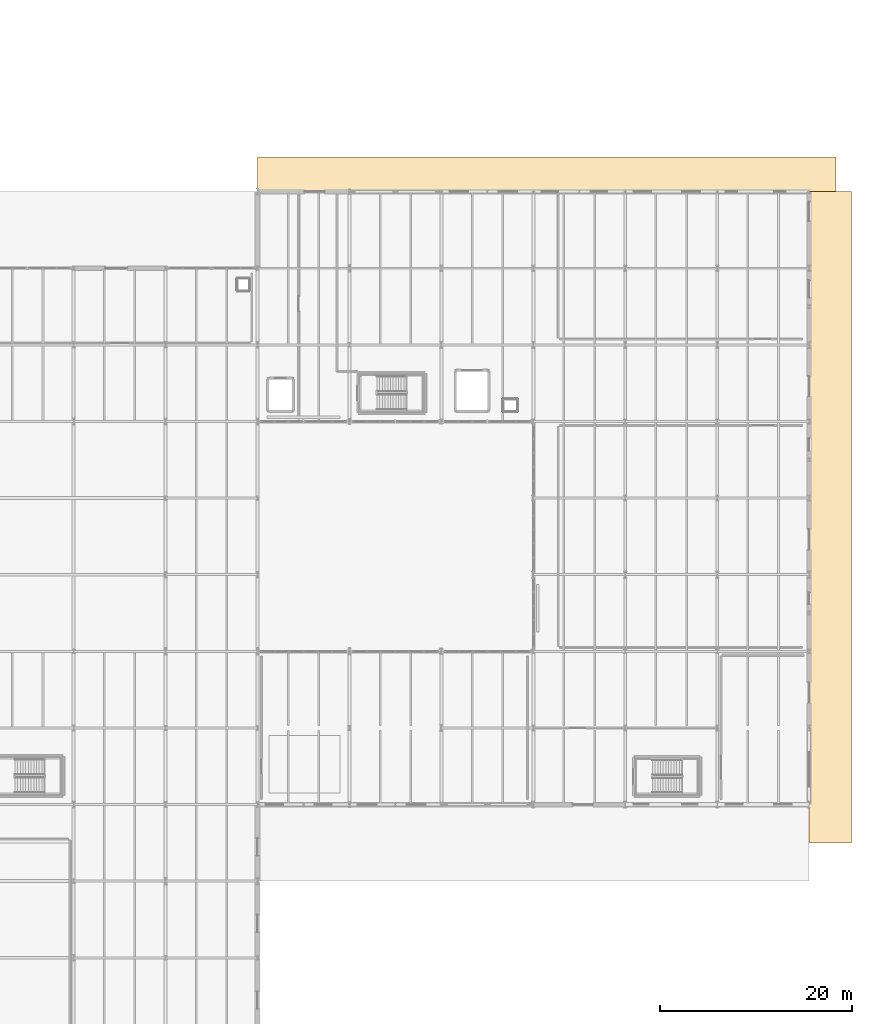
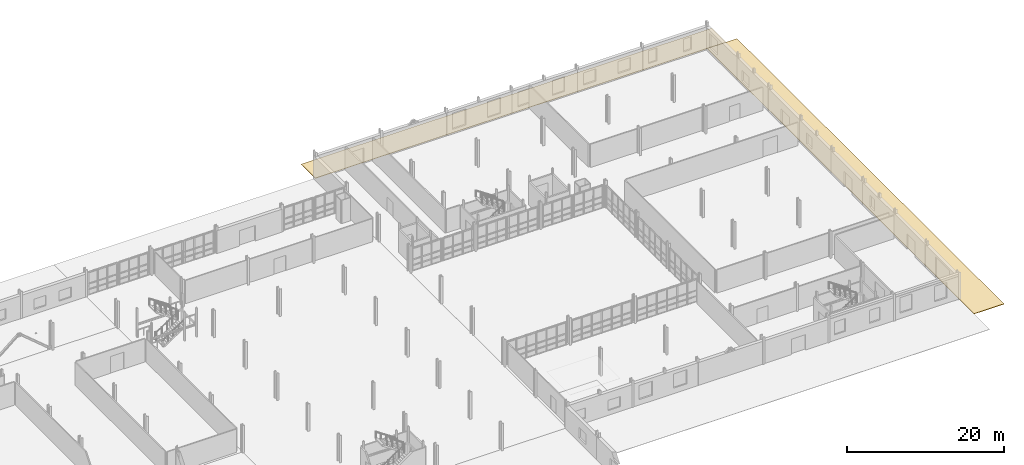
# One storey, part 78 of 78: 2 coverings.
"""IFC4 building model written with IfcOpenShell, lengths in metres."""

from ifc_helpers import new_model, si_unit, direction, frame, origin, place, context, subcontext, project, spatial, polyline, outline, extrude, material, layer, layer_set, type_object, element, save


model = new_model("IFC4")

# Units and contexts
model_context = context("Model", 3, precision=1e-05, world=origin(), true_north=direction((0.0, 1.0)))
body_context = subcontext(model_context, "Body", "Model", "MODEL_VIEW")
ifc_project = project(units=[si_unit("LENGTHUNIT", "METRE"), si_unit("AREAUNIT", "SQUARE_METRE"), si_unit("VOLUMEUNIT", "CUBIC_METRE"), si_unit("PLANEANGLEUNIT", "RADIAN"), si_unit("MASSUNIT", "GRAM", prefix="KILO")], contexts=[model_context])

# Site, building, storey
site_placement = place(None, origin())
site = spatial("IfcSite", under=ifc_project, at=site_placement, CompositionType="ELEMENT")
building_placement = place(site_placement, origin())
building = spatial("IfcBuilding", under=site, at=building_placement, Name="Alderhovde Museum", CompositionType="ELEMENT")
storey_placement = place(building_placement, origin())
storey = spatial("IfcBuildingStorey", under=building, at=storey_placement, Name="L00", CompositionType="ELEMENT", Elevation=0.0)

# Coverings
ifc_material = material(Name="Bush-Hammered Nordic Granite Forecourt Paving", Category="masonry")
ifc_layer = layer(ifc_material, 0.06005859375)
ifc_layer_set = layer_set([ifc_layer], Name="Bush-Hammered Nordic Granite Forecourt Paving")
covering_type = type_object("IfcCoveringType", Name="COV-EXT-GRANITE", PredefinedType="FLOORING", material=ifc_layer_set)
covering_1_placement = place(storey_placement, frame((0.0, 0.0, -0.06005859375)))
element("IfcCovering", 1, at=covering_1_placement, inside=storey, type_object=covering_type, Name="Conservation North Granite Walk", PredefinedType="FLOORING", context=body_context, shape_type="SweptSolid", body=[
    extrude(outline(polyline([(115.199951171875, 96.0), (175.60009765625, 96.0), (175.60009765625, 99.60009765625), (115.199951171875, 99.60009765625), (115.199951171875, 96.0)])), origin(), (0.0, 0.0, 1.0), 0.06005859375),
])
covering_2_placement = place(storey_placement, frame((0.0, 0.0, -0.06005859375)))
element("IfcCovering", 2, at=covering_2_placement, inside=storey, type_object=covering_type, Name="East Hillside Service Apron and Garden Walk", PredefinedType="FLOORING", context=body_context, shape_type="SweptSolid", body=[
    extrude(outline(polyline([(172.800048828125, 28.0), (177.199951171875, 28.0), (177.199951171875, 96.0), (172.800048828125, 96.0), (172.800048828125, 28.0)])), origin(), (0.0, 0.0, 1.0), 0.06005859375),
])

save(model, "model.ifc")
